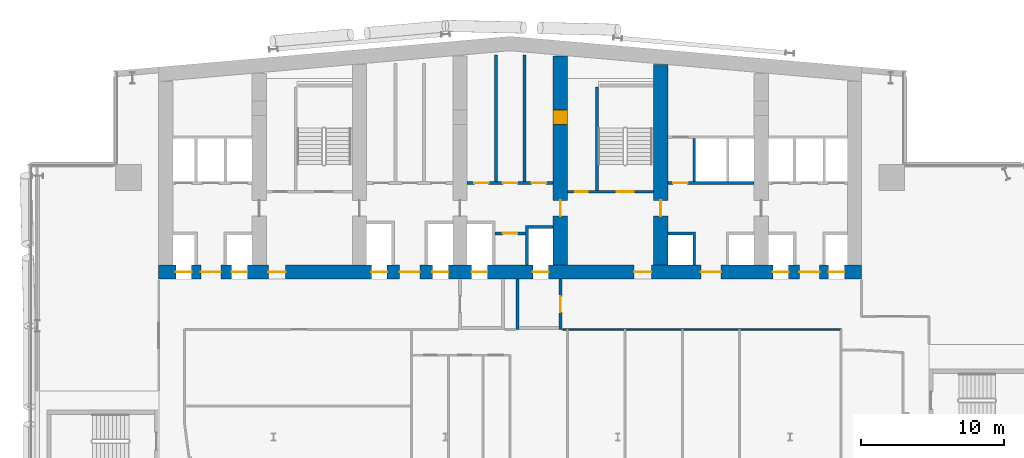
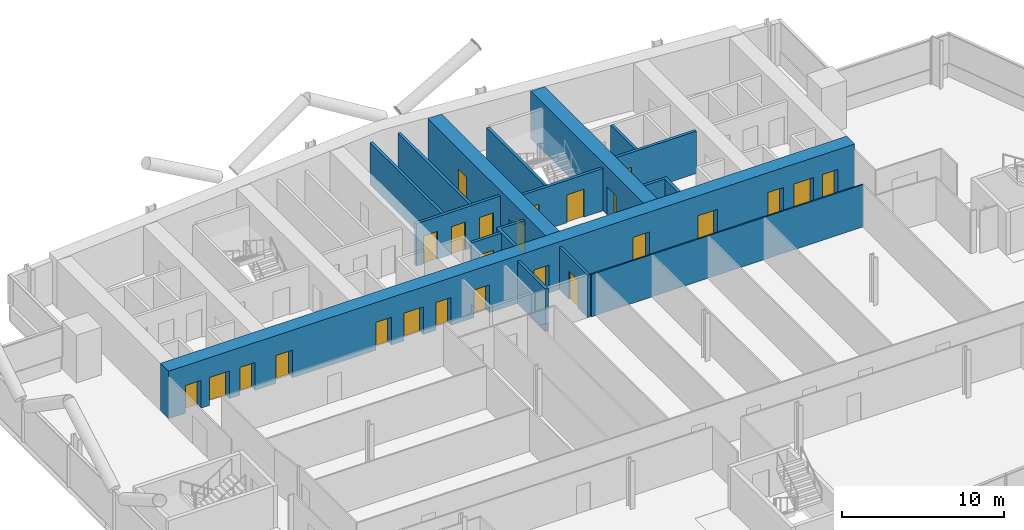
# One storey, part 17 of 27: 25 doors, 16 walls, 25 openings.
"""IFC4 building model written with IfcOpenShell, lengths in metres."""

from ifc_helpers import new_model, si_unit, direction, frame, frame_2d, origin, place, context, subcontext, project, spatial, polyline, rectangle, outline, extrude, material, layer, layer_set, type_object, element, fill, save


model = new_model("IFC4")

# Units and contexts
model_context = context("Model", 3, precision=1e-05, world=origin(), true_north=direction((0.0, 1.0)))
body_context = subcontext(model_context, "Body", "Model", "MODEL_VIEW")
ifc_project = project(units=[si_unit("LENGTHUNIT", "METRE"), si_unit("AREAUNIT", "SQUARE_METRE"), si_unit("VOLUMEUNIT", "CUBIC_METRE"), si_unit("PLANEANGLEUNIT", "RADIAN"), si_unit("MASSUNIT", "GRAM", prefix="KILO")], contexts=[model_context])

# Site, building, storey
site_placement = place(None, origin())
site = spatial("IfcSite", under=ifc_project, at=site_placement, CompositionType="ELEMENT")
building_placement = place(site_placement, origin())
building = spatial("IfcBuilding", under=site, at=building_placement, Name="Wharfspan Tower", CompositionType="ELEMENT")
storey_placement = place(building_placement, frame((0.0, 0.0, 139.899902)))
storey = spatial("IfcBuildingStorey", under=building, at=storey_placement, Name="L33", CompositionType="ELEMENT", Elevation=139.899902)

# Wall
ifc_material_1 = material(Name="Gypsum board on steel studs", Category="steel")
ifc_layer_1 = layer(ifc_material_1, 0.100098)
ifc_layer_set_1 = layer_set([ifc_layer_1], Name="Gypsum board on steel studs")
wall_type_1 = type_object("IfcWallType", Name="Compartment wall 100 EI 60", PredefinedType="PARTITIONING", material=ifc_layer_set_1)
wall_1_placement = place(storey_placement, frame((44.149902, 30.5, 0.0), z_axis=(0.0, 0.0, 1.0), x_axis=(1.0, 0.0, 0.0)))
element("IfcWall", 1, at=wall_1_placement, inside=storey, type_object=wall_type_1, Name="Partition L33.w010 (3)", PredefinedType="PARTITIONING", context=body_context, shape_type="SweptSolid", body=[
    extrude(rectangle(XDim=19.425049, YDim=0.100098, at=frame_2d((9.712402, 0.0))), origin(), (0.0, 0.0, 1.0), 3.200195),
])

# Wall, opening, door
ifc_material_2 = material(Name="Calcium silicate masonry", Category="masonry")
ifc_layer_2 = layer(ifc_material_2, 0.199951)
ifc_layer_set_2 = layer_set([ifc_layer_2], Name="Calcium silicate masonry")
wall_type_2 = type_object("IfcWallType", Name="Core room wall 200", PredefinedType="PARTITIONING", material=ifc_layer_set_2)
wall_2_placement = place(storey_placement, frame((39.43335, 37.199951, 0.0), z_axis=(0.0, 0.0, 1.0), x_axis=(1.0, 0.0, 0.0)))
wall_2 = element("IfcWall", 2, at=wall_2_placement, inside=storey, type_object=wall_type_2, Name="sw:L33:FR4.2", PredefinedType="PARTITIONING", context=body_context, shape_type="SweptSolid", body=[
    extrude(rectangle(XDim=2.133301, YDim=0.199951, at=frame_2d((1.06665, 0.0))), origin(), (0.0, 0.0, 1.0), 3.200195),
])
opening_1_placement = place(wall_2_placement, frame((0.56665, 0.0, 0.0)))
opening_1 = element("IfcOpeningElement", 3, at=opening_1_placement, cuts=wall_2, Name="Opening CD33.4H2", PredefinedType="OPENING", context=body_context, shape_type="SweptSolid", body=[
    extrude(rectangle(XDim=1.0, YDim=2.100098, at=frame_2d((0.5, 1.050049))), frame((0.0, 0.109863, 0.0), z_axis=(0.0, -1.0, 0.0), x_axis=(1.0, 0.0, 0.0)), (0.0, 0.0, 1.0), 0.219971),
])
ifc_material_3 = material(Name="Steel door leaf", Category="steel")
door_type_1 = type_object("IfcDoorType", Name="Core room door 1000x2100", OperationType="SINGLE_SWING_LEFT", PredefinedType="DOOR", material=ifc_material_3)
door_1_placement = place(opening_1_placement, origin())
door_1 = element("IfcDoor", 4, at=door_1_placement, inside=storey, type_object=door_type_1, Name="d:L33:4:fh4.2", OperationType="SINGLE_SWING_RIGHT", OverallHeight=2.100098, OverallWidth=1.0, PredefinedType="DOOR", context=body_context, shape_type="SweptSolid", body=[
    extrude(rectangle(XDim=1.0, YDim=2.100098, at=frame_2d((0.5, 1.050049))), frame((0.0, 0.024902, 0.0), z_axis=(0.0, -1.0, 0.0), x_axis=(1.0, 0.0, 0.0)), (0.0, 0.0, 1.0), 0.050049),
])
fill(opening_1, door_1)

# Walls
for number, where, z_axis, x_axis, name in (
    (5, (39.5, 40.800049, 0.0), (0.0, 0.0, 1.0), (0.0, 1.0, 0.0), "sw:L33:RP4.1"),
    (6, (41.5, 40.800049, 0.0), (0.0, 0.0, 1.0), (0.0, 1.0, 0.0), "sw:L33:RP4.2"),
):
    element("IfcWall", number, at=place(storey_placement, frame(where, z_axis=z_axis, x_axis=x_axis)), inside=storey, type_object=wall_type_2, Name=name, PredefinedType="PARTITIONING", context=body_context, shape_type="SweptSolid", body=[
        extrude(rectangle(XDim=8.844482, YDim=0.199951, at=frame_2d((4.422363, 0.0))), origin(), (0.0, 0.0, 1.0), 3.200195),
    ])

# Wall, openings, doors
ifc_material_4 = material(Name="Concrete C70/85", Category="concrete")
ifc_layer_3 = layer(ifc_material_4, 1.0)
ifc_layer_set_3 = layer_set([ifc_layer_3], Name="Concrete C70/85")
wall_type_3 = type_object("IfcWallType", Name="Core wall 1000 C70/85", PredefinedType="SHEAR", material=ifc_layer_set_3)
wall_3_placement = place(storey_placement, frame((16.0, 34.5, 0.0), z_axis=(0.0, 0.0, 1.0), x_axis=(1.0, 0.0, 0.0)))
wall_3 = element("IfcWall", 7, at=wall_3_placement, inside=storey, type_object=wall_type_3, Name="Core front wall L33", PredefinedType="SHEAR", context=body_context, shape_type="SweptSolid", body=[
    extrude(rectangle(XDim=49.0, YDim=1.0, at=frame_2d((24.5, 0.0))), origin(), (0.0, 0.0, 1.0), 3.600098),
])
opening_2_placement = place(wall_3_placement, frame((1.199951, 0.0, 0.0)))
opening_2 = element("IfcOpeningElement", 8, at=opening_2_placement, cuts=wall_3, Name="Opening LD.LA1.L33", PredefinedType="OPENING", context=body_context, shape_type="SweptSolid", body=[
    extrude(rectangle(XDim=1.100098, YDim=2.100098, at=frame_2d((0.550049, 1.050049))), frame((0.0, 0.51001, 0.0), z_axis=(0.0, -1.0, 0.0), x_axis=(1.0, 0.0, 0.0)), (0.0, 0.0, 1.0), 1.02002),
])
opening_3_placement = place(wall_3_placement, frame((5.083252, 0.0, 0.0)))
opening_3 = element("IfcOpeningElement", 9, at=opening_3_placement, cuts=wall_3, Name="Opening LD.LA2.L33", PredefinedType="OPENING", context=body_context, shape_type="SweptSolid", body=[
    extrude(rectangle(XDim=1.100098, YDim=2.100098, at=frame_2d((0.550049, 1.050049))), frame((0.0, 0.51001, 0.0), z_axis=(0.0, -1.0, 0.0), x_axis=(1.0, 0.0, 0.0)), (0.0, 0.0, 1.0), 1.02002),
])
opening_4_placement = place(wall_3_placement, frame((2.93335, 0.0, 0.0)))
opening_4 = element("IfcOpeningElement", 10, at=opening_4_placement, cuts=wall_3, Name="Opening HD33.1", PredefinedType="OPENING", context=body_context, shape_type="SweptSolid", body=[
    extrude(rectangle(XDim=1.399902, YDim=2.100098, at=frame_2d((0.699951, 1.050049))), frame((0.0, 0.51001, 0.0), z_axis=(0.0, -1.0, 0.0), x_axis=(1.0, 0.0, 0.0)), (0.0, 0.0, 1.0), 1.02002),
])
opening_5_placement = place(wall_3_placement, frame((7.649902, 0.0, 0.0)))
opening_5 = element("IfcOpeningElement", 11, at=opening_5_placement, cuts=wall_3, Name="Opening SV2.L33", PredefinedType="OPENING", context=body_context, shape_type="SweptSolid", body=[
    extrude(rectangle(XDim=1.199951, YDim=2.100098, at=frame_2d((0.600098, 1.050049))), frame((0.0, 0.51001, 0.0), z_axis=(0.0, -1.0, 0.0), x_axis=(1.0, 0.0, 0.0)), (0.0, 0.0, 1.0), 1.02002),
])
opening_6_placement = place(wall_3_placement, frame((14.81665, 0.0, 0.0)))
opening_6 = element("IfcOpeningElement", 12, at=opening_6_placement, cuts=wall_3, Name="Opening LD.SL1.L33", PredefinedType="OPENING", context=body_context, shape_type="SweptSolid", body=[
    extrude(rectangle(XDim=1.100098, YDim=2.100098, at=frame_2d((0.550049, 1.050049))), frame((0.0, 0.51001, 0.0), z_axis=(0.0, -1.0, 0.0), x_axis=(1.0, 0.0, 0.0)), (0.0, 0.0, 1.0), 1.02002),
])
opening_7_placement = place(wall_3_placement, frame((19.083252, 0.0, 0.0)))
opening_7 = element("IfcOpeningElement", 13, at=opening_7_placement, cuts=wall_3, Name="Opening LD.SL2.L33", PredefinedType="OPENING", context=body_context, shape_type="SweptSolid", body=[
    extrude(rectangle(XDim=1.100098, YDim=2.100098, at=frame_2d((0.550049, 1.050049))), frame((0.0, 0.51001, 0.0), z_axis=(0.0, -1.0, 0.0), x_axis=(1.0, 0.0, 0.0)), (0.0, 0.0, 1.0), 1.02002),
])
opening_8_placement = place(wall_3_placement, frame((16.800049, 0.0, 0.0)))
opening_8 = element("IfcOpeningElement", 14, at=opening_8_placement, cuts=wall_3, Name="Opening HD33.3", PredefinedType="OPENING", context=body_context, shape_type="SweptSolid", body=[
    extrude(rectangle(XDim=1.399902, YDim=2.100098, at=frame_2d((0.699951, 1.050049))), frame((0.0, 0.51001, 0.0), z_axis=(0.0, -1.0, 0.0), x_axis=(1.0, 0.0, 0.0)), (0.0, 0.0, 1.0), 1.02002),
])
opening_9_placement = place(wall_3_placement, frame((21.81665, 0.0, 0.0)))
opening_9 = element("IfcOpeningElement", 15, at=opening_9_placement, cuts=wall_3, Name="Opening LD.FF1.L33", PredefinedType="OPENING", context=body_context, shape_type="SweptSolid", body=[
    extrude(rectangle(XDim=1.100098, YDim=2.100098, at=frame_2d((0.550049, 1.050049))), frame((0.0, 0.51001, 0.0), z_axis=(0.0, -1.0, 0.0), x_axis=(1.0, 0.0, 0.0)), (0.0, 0.0, 1.0), 1.02002),
])
opening_10_placement = place(wall_3_placement, frame((26.083252, 0.0, 0.0)))
opening_10 = element("IfcOpeningElement", 16, at=opening_10_placement, cuts=wall_3, Name="Opening LD.FF2.L33", PredefinedType="OPENING", context=body_context, shape_type="SweptSolid", body=[
    extrude(rectangle(XDim=1.100098, YDim=2.100098, at=frame_2d((0.550049, 1.050049))), frame((0.0, 0.51001, 0.0), z_axis=(0.0, -1.0, 0.0), x_axis=(1.0, 0.0, 0.0)), (0.0, 0.0, 1.0), 1.02002),
])
opening_11_placement = place(wall_3_placement, frame((33.149902, 0.0, 0.0)))
opening_11 = element("IfcOpeningElement", 17, at=opening_11_placement, cuts=wall_3, Name="Opening SV5.L33", PredefinedType="OPENING", context=body_context, shape_type="SweptSolid", body=[
    extrude(rectangle(XDim=1.199951, YDim=2.100098, at=frame_2d((0.600098, 1.050049))), frame((0.0, 0.51001, 0.0), z_axis=(0.0, -1.0, 0.0), x_axis=(1.0, 0.0, 0.0)), (0.0, 0.0, 1.0), 1.02002),
])
opening_12_placement = place(wall_3_placement, frame((37.800049, 0.0, 0.0)))
opening_12 = element("IfcOpeningElement", 18, at=opening_12_placement, cuts=wall_3, Name="Opening HD33.6", PredefinedType="OPENING", context=body_context, shape_type="SweptSolid", body=[
    extrude(rectangle(XDim=1.399902, YDim=2.100098, at=frame_2d((0.699951, 1.050049))), frame((0.0, 0.51001, 0.0), z_axis=(0.0, -1.0, 0.0), x_axis=(1.0, 0.0, 0.0)), (0.0, 0.0, 1.0), 1.02002),
])
opening_13_placement = place(wall_3_placement, frame((42.81665, 0.0, 0.0)))
opening_13 = element("IfcOpeningElement", 19, at=opening_13_placement, cuts=wall_3, Name="Opening LD.LA6.L33", PredefinedType="OPENING", context=body_context, shape_type="SweptSolid", body=[
    extrude(rectangle(XDim=1.100098, YDim=2.100098, at=frame_2d((0.550049, 1.050049))), frame((0.0, 0.51001, 0.0), z_axis=(0.0, -1.0, 0.0), x_axis=(1.0, 0.0, 0.0)), (0.0, 0.0, 1.0), 1.02002),
])
opening_14_placement = place(wall_3_placement, frame((46.699951, 0.0, 0.0)))
opening_14 = element("IfcOpeningElement", 20, at=opening_14_placement, cuts=wall_3, Name="Opening LD.LA7.L33", PredefinedType="OPENING", context=body_context, shape_type="SweptSolid", body=[
    extrude(rectangle(XDim=1.100098, YDim=2.100098, at=frame_2d((0.550049, 1.050049))), frame((0.0, 0.51001, 0.0), z_axis=(0.0, -1.0, 0.0), x_axis=(1.0, 0.0, 0.0)), (0.0, 0.0, 1.0), 1.02002),
])
opening_15_placement = place(wall_3_placement, frame((44.666748, 0.0, 0.0)))
opening_15 = element("IfcOpeningElement", 21, at=opening_15_placement, cuts=wall_3, Name="Opening HD33.7", PredefinedType="OPENING", context=body_context, shape_type="SweptSolid", body=[
    extrude(rectangle(XDim=1.399902, YDim=2.100098, at=frame_2d((0.699951, 1.050049))), frame((0.0, 0.51001, 0.0), z_axis=(0.0, -1.0, 0.0), x_axis=(1.0, 0.0, 0.0)), (0.0, 0.0, 1.0), 1.02002),
])
door_type_2 = type_object("IfcDoorType", Name="Hall entry door 1400x2100", OperationType="DOUBLE_DOOR_SINGLE_SWING", PredefinedType="DOOR", material=ifc_material_3)
door_2_placement = place(opening_4_placement, origin())
door_2 = element("IfcDoor", 22, at=door_2_placement, inside=storey, type_object=door_type_2, Name="d:L33:1:hd1", OperationType="DOUBLE_DOOR_SINGLE_SWING", OverallHeight=2.100098, OverallWidth=1.399902, PredefinedType="DOOR", context=body_context, shape_type="SweptSolid", body=[
    extrude(rectangle(XDim=1.399902, YDim=2.100098, at=frame_2d((0.699951, 1.050049))), frame((0.0, 0.024902, 0.0), z_axis=(0.0, -1.0, 0.0), x_axis=(1.0, 0.0, 0.0)), (0.0, 0.0, 1.0), 0.050049),
])
fill(opening_4, door_2)
door_3_placement = place(opening_8_placement, origin())
door_3 = element("IfcDoor", 23, at=door_3_placement, inside=storey, type_object=door_type_2, Name="d:L33:3:hd3", OperationType="DOUBLE_DOOR_SINGLE_SWING", OverallHeight=2.100098, OverallWidth=1.399902, PredefinedType="DOOR", context=body_context, shape_type="SweptSolid", body=[
    extrude(rectangle(XDim=1.399902, YDim=2.100098, at=frame_2d((0.699951, 1.050049))), frame((0.0, 0.024902, 0.0), z_axis=(0.0, -1.0, 0.0), x_axis=(1.0, 0.0, 0.0)), (0.0, 0.0, 1.0), 0.050049),
])
fill(opening_8, door_3)
door_4_placement = place(opening_12_placement, origin())
door_4 = element("IfcDoor", 24, at=door_4_placement, inside=storey, type_object=door_type_2, Name="d:L33:6:hd6", OperationType="DOUBLE_DOOR_SINGLE_SWING", OverallHeight=2.100098, OverallWidth=1.399902, PredefinedType="DOOR", context=body_context, shape_type="SweptSolid", body=[
    extrude(rectangle(XDim=1.399902, YDim=2.100098, at=frame_2d((0.699951, 1.050049))), frame((0.0, 0.024902, 0.0), z_axis=(0.0, -1.0, 0.0), x_axis=(1.0, 0.0, 0.0)), (0.0, 0.0, 1.0), 0.050049),
])
fill(opening_12, door_4)
door_5_placement = place(opening_15_placement, origin())
door_5 = element("IfcDoor", 25, at=door_5_placement, inside=storey, type_object=door_type_2, Name="d:L33:7:hd7", OperationType="DOUBLE_DOOR_SINGLE_SWING", OverallHeight=2.100098, OverallWidth=1.399902, PredefinedType="DOOR", context=body_context, shape_type="SweptSolid", body=[
    extrude(rectangle(XDim=1.399902, YDim=2.100098, at=frame_2d((0.699951, 1.050049))), frame((0.0, 0.024902, 0.0), z_axis=(0.0, -1.0, 0.0), x_axis=(1.0, 0.0, 0.0)), (0.0, 0.0, 1.0), 0.050049),
])
fill(opening_15, door_5)
ifc_material_5 = material(Name="Stainless steel", Category="steel")
door_type_3 = type_object("IfcDoorType", Name="Lift landing door 1100x2100", OperationType="DOUBLE_DOOR_SLIDING", PredefinedType="DOOR", material=ifc_material_5)
door_6_placement = place(opening_2_placement, origin())
door_6 = element("IfcDoor", 26, at=door_6_placement, inside=storey, type_object=door_type_3, Name="Landing door LA1 L33", OperationType="DOUBLE_DOOR_SLIDING", OverallHeight=2.100098, OverallWidth=1.100098, PredefinedType="DOOR", context=body_context, shape_type="SweptSolid", body=[
    extrude(rectangle(XDim=1.100098, YDim=2.100098, at=frame_2d((0.550049, 1.050049))), frame((0.0, 0.024902, 0.0), z_axis=(0.0, -1.0, 0.0), x_axis=(1.0, 0.0, 0.0)), (0.0, 0.0, 1.0), 0.050049),
])
fill(opening_2, door_6)
door_7_placement = place(opening_3_placement, origin())
door_7 = element("IfcDoor", 27, at=door_7_placement, inside=storey, type_object=door_type_3, Name="Landing door LA2 L33", OperationType="DOUBLE_DOOR_SLIDING", OverallHeight=2.100098, OverallWidth=1.100098, PredefinedType="DOOR", context=body_context, shape_type="SweptSolid", body=[
    extrude(rectangle(XDim=1.100098, YDim=2.100098, at=frame_2d((0.550049, 1.050049))), frame((0.0, 0.024902, 0.0), z_axis=(0.0, -1.0, 0.0), x_axis=(1.0, 0.0, 0.0)), (0.0, 0.0, 1.0), 0.050049),
])
fill(opening_3, door_7)
door_8_placement = place(opening_6_placement, origin())
door_8 = element("IfcDoor", 28, at=door_8_placement, inside=storey, type_object=door_type_3, Name="Landing door SL1 L33", OperationType="DOUBLE_DOOR_SLIDING", OverallHeight=2.100098, OverallWidth=1.100098, PredefinedType="DOOR", context=body_context, shape_type="SweptSolid", body=[
    extrude(rectangle(XDim=1.100098, YDim=2.100098, at=frame_2d((0.550049, 1.050049))), frame((0.0, 0.024902, 0.0), z_axis=(0.0, -1.0, 0.0), x_axis=(1.0, 0.0, 0.0)), (0.0, 0.0, 1.0), 0.050049),
])
fill(opening_6, door_8)
door_9_placement = place(opening_7_placement, origin())
door_9 = element("IfcDoor", 29, at=door_9_placement, inside=storey, type_object=door_type_3, Name="Landing door SL2 L33", OperationType="DOUBLE_DOOR_SLIDING", OverallHeight=2.100098, OverallWidth=1.100098, PredefinedType="DOOR", context=body_context, shape_type="SweptSolid", body=[
    extrude(rectangle(XDim=1.100098, YDim=2.100098, at=frame_2d((0.550049, 1.050049))), frame((0.0, 0.024902, 0.0), z_axis=(0.0, -1.0, 0.0), x_axis=(1.0, 0.0, 0.0)), (0.0, 0.0, 1.0), 0.050049),
])
fill(opening_7, door_9)
door_10_placement = place(opening_9_placement, origin())
door_10 = element("IfcDoor", 30, at=door_10_placement, inside=storey, type_object=door_type_3, Name="Landing door FF1 L33", OperationType="DOUBLE_DOOR_SLIDING", OverallHeight=2.100098, OverallWidth=1.100098, PredefinedType="DOOR", context=body_context, shape_type="SweptSolid", body=[
    extrude(rectangle(XDim=1.100098, YDim=2.100098, at=frame_2d((0.550049, 1.050049))), frame((0.0, 0.024902, 0.0), z_axis=(0.0, -1.0, 0.0), x_axis=(1.0, 0.0, 0.0)), (0.0, 0.0, 1.0), 0.050049),
])
fill(opening_9, door_10)
door_11_placement = place(opening_10_placement, origin())
door_11 = element("IfcDoor", 31, at=door_11_placement, inside=storey, type_object=door_type_3, Name="Landing door FF2 L33", OperationType="DOUBLE_DOOR_SLIDING", OverallHeight=2.100098, OverallWidth=1.100098, PredefinedType="DOOR", context=body_context, shape_type="SweptSolid", body=[
    extrude(rectangle(XDim=1.100098, YDim=2.100098, at=frame_2d((0.550049, 1.050049))), frame((0.0, 0.024902, 0.0), z_axis=(0.0, -1.0, 0.0), x_axis=(1.0, 0.0, 0.0)), (0.0, 0.0, 1.0), 0.050049),
])
fill(opening_10, door_11)
door_12_placement = place(opening_13_placement, origin())
door_12 = element("IfcDoor", 32, at=door_12_placement, inside=storey, type_object=door_type_3, Name="Landing door LA6 L33", OperationType="DOUBLE_DOOR_SLIDING", OverallHeight=2.100098, OverallWidth=1.100098, PredefinedType="DOOR", context=body_context, shape_type="SweptSolid", body=[
    extrude(rectangle(XDim=1.100098, YDim=2.100098, at=frame_2d((0.550049, 1.050049))), frame((0.0, 0.024902, 0.0), z_axis=(0.0, -1.0, 0.0), x_axis=(1.0, 0.0, 0.0)), (0.0, 0.0, 1.0), 0.050049),
])
fill(opening_13, door_12)
door_13_placement = place(opening_14_placement, origin())
door_13 = element("IfcDoor", 33, at=door_13_placement, inside=storey, type_object=door_type_3, Name="Landing door LA7 L33", OperationType="DOUBLE_DOOR_SLIDING", OverallHeight=2.100098, OverallWidth=1.100098, PredefinedType="DOOR", context=body_context, shape_type="SweptSolid", body=[
    extrude(rectangle(XDim=1.100098, YDim=2.100098, at=frame_2d((0.550049, 1.050049))), frame((0.0, 0.024902, 0.0), z_axis=(0.0, -1.0, 0.0), x_axis=(1.0, 0.0, 0.0)), (0.0, 0.0, 1.0), 0.050049),
])
fill(opening_14, door_13)
door_type_4 = type_object("IfcDoorType", Name="Stair door 1200x2100", OperationType="SINGLE_SWING_LEFT", PredefinedType="DOOR", material=ifc_material_3)
door_14_placement = place(opening_5_placement, origin())
door_14 = element("IfcDoor", 34, at=door_14_placement, inside=storey, type_object=door_type_4, Name="vd:L33:2", OperationType="SINGLE_SWING_LEFT", OverallHeight=2.100098, OverallWidth=1.199951, PredefinedType="DOOR", context=body_context, shape_type="SweptSolid", body=[
    extrude(rectangle(XDim=1.199951, YDim=2.100098, at=frame_2d((0.600098, 1.050049))), frame((0.0, 0.024902, 0.0), z_axis=(0.0, -1.0, 0.0), x_axis=(1.0, 0.0, 0.0)), (0.0, 0.0, 1.0), 0.050049),
])
fill(opening_5, door_14)
door_15_placement = place(opening_11_placement, origin())
door_15 = element("IfcDoor", 35, at=door_15_placement, inside=storey, type_object=door_type_4, Name="vd:L33:5", OperationType="SINGLE_SWING_LEFT", OverallHeight=2.100098, OverallWidth=1.199951, PredefinedType="DOOR", context=body_context, shape_type="SweptSolid", body=[
    extrude(rectangle(XDim=1.199951, YDim=2.100098, at=frame_2d((0.600098, 1.050049))), frame((0.0, 0.024902, 0.0), z_axis=(0.0, -1.0, 0.0), x_axis=(1.0, 0.0, 0.0)), (0.0, 0.0, 1.0), 0.050049),
])
fill(opening_11, door_15)

wall_4_placement = place(storey_placement, frame((44.0, 35.0, 0.0), z_axis=(0.0, 0.0, 1.0), x_axis=(0.0, 1.0, 0.0)))
wall_4 = element("IfcWall", 36, at=wall_4_placement, inside=storey, type_object=wall_type_3, Name="Core cross wall X5 L33", PredefinedType="SHEAR", context=body_context, shape_type="SweptSolid", body=[
    extrude(rectangle(XDim=14.577148, YDim=1.0, at=frame_2d((7.288574, 0.0))), origin(), (0.0, 0.0, 1.0), 3.600098),
])
opening_16_placement = place(wall_4_placement, frame((3.399902, 0.0, 0.0)))
opening_16 = element("IfcOpeningElement", 37, at=opening_16_placement, cuts=wall_4, Name="Opening CC33.5", PredefinedType="OPENING", context=body_context, shape_type="SweptSolid", body=[
    extrude(rectangle(XDim=1.100098, YDim=2.100098, at=frame_2d((0.550049, 1.050049))), frame((0.0, 0.51001, 0.0), z_axis=(0.0, -1.0, 0.0), x_axis=(1.0, 0.0, 0.0)), (0.0, 0.0, 1.0), 1.02002),
])
opening_17_placement = place(wall_4_placement, frame((9.800049, 0.0, 0.0)))
opening_17 = element("IfcOpeningElement", 38, at=opening_17_placement, cuts=wall_4, Name="Opening CR33.5", PredefinedType="OPENING", context=body_context, shape_type="SweptSolid", body=[
    extrude(rectangle(XDim=1.0, YDim=2.100098, at=frame_2d((0.5, 1.050049))), frame((0.0, 0.51001, 0.0), z_axis=(0.0, -1.0, 0.0), x_axis=(1.0, 0.0, 0.0)), (0.0, 0.0, 1.0), 1.02002),
])
door_type_5 = type_object("IfcDoorType", Name="Core corridor door 1100x2100", OperationType="SINGLE_SWING_LEFT", PredefinedType="DOOR", material=ifc_material_3)
door_16_placement = place(opening_16_placement, origin())
door_16 = element("IfcDoor", 39, at=door_16_placement, inside=storey, type_object=door_type_5, Name="xd:L33:5", OperationType="SINGLE_SWING_LEFT", OverallHeight=2.100098, OverallWidth=1.100098, PredefinedType="DOOR", context=body_context, shape_type="SweptSolid", body=[
    extrude(rectangle(XDim=1.100098, YDim=2.100098, at=frame_2d((0.550049, 1.050049))), frame((0.0, 0.024902, 0.0), z_axis=(0.0, -1.0, 0.0), x_axis=(1.0, 0.0, 0.0)), (0.0, 0.0, 1.0), 0.050049),
])
fill(opening_16, door_16)
door_17_placement = place(opening_17_placement, origin())
door_17 = element("IfcDoor", 40, at=door_17_placement, inside=storey, type_object=door_type_1, Name="xr:L33:5", OperationType="SINGLE_SWING_RIGHT", OverallHeight=2.100098, OverallWidth=1.0, PredefinedType="DOOR", context=body_context, shape_type="SweptSolid", body=[
    extrude(rectangle(XDim=1.0, YDim=2.100098, at=frame_2d((0.5, 1.050049))), frame((0.0, 0.499756, 0.0), z_axis=(0.0, -1.0, 0.0), x_axis=(1.0, 0.0, 0.0)), (0.0, 0.0, 1.0), 0.999512),
])
fill(opening_17, door_17)

# Wall, opening, door
wall_5_placement = place(storey_placement, frame((51.0, 35.0, 0.0), z_axis=(0.0, 0.0, 1.0), x_axis=(0.0, 1.0, 0.0)))
wall_5 = element("IfcWall", 41, at=wall_5_placement, inside=storey, type_object=wall_type_3, Name="Core cross wall X6 L33", PredefinedType="SHEAR", context=body_context, shape_type="SweptSolid", body=[
    extrude(rectangle(XDim=13.9646, YDim=1.0, at=frame_2d((6.982422, 0.0))), origin(), (0.0, 0.0, 1.0), 3.600098),
])
opening_18_placement = place(wall_5_placement, frame((3.399902, 0.0, 0.0)))
opening_18 = element("IfcOpeningElement", 42, at=opening_18_placement, cuts=wall_5, Name="Opening CC33.6", PredefinedType="OPENING", context=body_context, shape_type="SweptSolid", body=[
    extrude(rectangle(XDim=1.100098, YDim=2.100098, at=frame_2d((0.550049, 1.050049))), frame((0.0, 0.51001, 0.0), z_axis=(0.0, -1.0, 0.0), x_axis=(1.0, 0.0, 0.0)), (0.0, 0.0, 1.0), 1.02002),
])
door_18_placement = place(opening_18_placement, origin())
door_18 = element("IfcDoor", 43, at=door_18_placement, inside=storey, type_object=door_type_5, Name="xd:L33:6", OperationType="SINGLE_SWING_RIGHT", OverallHeight=2.100098, OverallWidth=1.100098, PredefinedType="DOOR", context=body_context, shape_type="SweptSolid", body=[
    extrude(rectangle(XDim=1.100098, YDim=2.100098, at=frame_2d((0.550049, 1.050049))), frame((0.0, 0.024902, 0.0), z_axis=(0.0, -1.0, 0.0), x_axis=(1.0, 0.0, 0.0)), (0.0, 0.0, 1.0), 0.050049),
])
fill(opening_18, door_18)

# Wall, openings, doors
ifc_material_6 = material(Name="Concrete C30/37", Category="concrete")
ifc_layer_4 = layer(ifc_material_6, 0.199951)
ifc_layer_set_4 = layer_set([ifc_layer_4], Name="Concrete C30/37")
wall_type_4 = type_object("IfcWallType", Name="Lift shaft wall 200", PredefinedType="PARTITIONING", material=ifc_layer_set_4)
wall_6_placement = place(storey_placement, frame((37.5, 40.699951, 0.0), z_axis=(0.0, 0.0, 1.0), x_axis=(1.0, 0.0, 0.0)))
wall_6 = element("IfcWall", 44, at=wall_6_placement, inside=storey, type_object=wall_type_4, Name="sw:L33:RF4", PredefinedType="PARTITIONING", context=body_context, shape_type="SweptSolid", body=[
    extrude(rectangle(XDim=6.0, YDim=0.199951, at=frame_2d((3.0, 0.0))), origin(), (0.0, 0.0, 1.0), 3.200195),
])
opening_19_placement = place(wall_6_placement, frame((0.5, 0.0, 0.0)))
opening_19 = element("IfcOpeningElement", 45, at=opening_19_placement, cuts=wall_6, Name="Opening CD33.4S", PredefinedType="OPENING", context=body_context, shape_type="SweptSolid", body=[
    extrude(rectangle(XDim=1.0, YDim=2.100098, at=frame_2d((0.5, 1.050049))), frame((0.0, 0.109863, 0.0), z_axis=(0.0, -1.0, 0.0), x_axis=(1.0, 0.0, 0.0)), (0.0, 0.0, 1.0), 0.219971),
])
opening_20_placement = place(wall_6_placement, frame((2.5, 0.0, 0.0)))
opening_20 = element("IfcOpeningElement", 46, at=opening_20_placement, cuts=wall_6, Name="Opening CD33.4Sa", PredefinedType="OPENING", context=body_context, shape_type="SweptSolid", body=[
    extrude(rectangle(XDim=1.0, YDim=2.100098, at=frame_2d((0.5, 1.050049))), frame((0.0, 0.109863, 0.0), z_axis=(0.0, -1.0, 0.0), x_axis=(1.0, 0.0, 0.0)), (0.0, 0.0, 1.0), 0.219971),
])
opening_21_placement = place(wall_6_placement, frame((4.5, 0.0, 0.0)))
opening_21 = element("IfcOpeningElement", 47, at=opening_21_placement, cuts=wall_6, Name="Opening CD33.4Sb", PredefinedType="OPENING", context=body_context, shape_type="SweptSolid", body=[
    extrude(rectangle(XDim=1.0, YDim=2.100098, at=frame_2d((0.5, 1.050049))), frame((0.0, 0.109863, 0.0), z_axis=(0.0, -1.0, 0.0), x_axis=(1.0, 0.0, 0.0)), (0.0, 0.0, 1.0), 0.219971),
])
door_19_placement = place(opening_19_placement, origin())
door_19 = element("IfcDoor", 48, at=door_19_placement, inside=storey, type_object=door_type_1, Name="d:L33:4:sf", OperationType="SINGLE_SWING_LEFT", OverallHeight=2.100098, OverallWidth=1.0, PredefinedType="DOOR", context=body_context, shape_type="SweptSolid", body=[
    extrude(rectangle(XDim=1.0, YDim=2.100098, at=frame_2d((0.5, 1.050049))), frame((0.0, 0.024902, 0.0), z_axis=(0.0, -1.0, 0.0), x_axis=(1.0, 0.0, 0.0)), (0.0, 0.0, 1.0), 0.050049),
])
fill(opening_19, door_19)
door_20_placement = place(opening_20_placement, origin())
door_20 = element("IfcDoor", 49, at=door_20_placement, inside=storey, type_object=door_type_1, Name="d:L33:4:sf1", OperationType="SINGLE_SWING_LEFT", OverallHeight=2.100098, OverallWidth=1.0, PredefinedType="DOOR", context=body_context, shape_type="SweptSolid", body=[
    extrude(rectangle(XDim=1.0, YDim=2.100098, at=frame_2d((0.5, 1.050049))), frame((0.0, 0.024902, 0.0), z_axis=(0.0, -1.0, 0.0), x_axis=(1.0, 0.0, 0.0)), (0.0, 0.0, 1.0), 0.050049),
])
fill(opening_20, door_20)
door_21_placement = place(opening_21_placement, origin())
door_21 = element("IfcDoor", 50, at=door_21_placement, inside=storey, type_object=door_type_1, Name="d:L33:4:sf2", OperationType="SINGLE_SWING_LEFT", OverallHeight=2.100098, OverallWidth=1.0, PredefinedType="DOOR", context=body_context, shape_type="SweptSolid", body=[
    extrude(rectangle(XDim=1.0, YDim=2.100098, at=frame_2d((0.5, 1.050049))), frame((0.0, 0.024902, 0.0), z_axis=(0.0, -1.0, 0.0), x_axis=(1.0, 0.0, 0.0)), (0.0, 0.0, 1.0), 0.050049),
])
fill(opening_21, door_21)

# Wall
wall_7_placement = place(storey_placement, origin())
element("IfcWall", 51, at=wall_7_placement, inside=storey, type_object=wall_type_4, Name="sw:L33:FM4.0", PredefinedType="PARTITIONING", context=body_context, shape_type="SweptSolid", body=[
    extrude(outline(polyline([(41.56665, 37.75), (41.766602, 37.75), (43.5, 37.75), (43.5, 37.550049), (41.766602, 37.550049), (41.766602, 35.0), (41.56665, 35.0), (41.56665, 37.75)])), origin(), (0.0, 0.0, 1.0), 3.200195),
])

# Wall, opening, door
wall_8_placement = place(storey_placement, frame((51.5, 40.699951, 0.0), z_axis=(0.0, 0.0, 1.0), x_axis=(1.0, 0.0, 0.0)))
wall_8 = element("IfcWall", 52, at=wall_8_placement, inside=storey, type_object=wall_type_4, Name="sw:L33:RF6", PredefinedType="PARTITIONING", context=body_context, shape_type="SweptSolid", body=[
    extrude(rectangle(XDim=6.0, YDim=0.199951, at=frame_2d((3.0, 0.0))), origin(), (0.0, 0.0, 1.0), 3.200195),
])
opening_22_placement = place(wall_8_placement, frame((0.366699, 0.0, 0.0)))
opening_22 = element("IfcOpeningElement", 53, at=opening_22_placement, cuts=wall_8, Name="Opening CD33.6R1", PredefinedType="OPENING", context=body_context, shape_type="SweptSolid", body=[
    extrude(rectangle(XDim=1.0, YDim=2.100098, at=frame_2d((0.5, 1.050049))), frame((0.0, 0.109863, 0.0), z_axis=(0.0, -1.0, 0.0), x_axis=(1.0, 0.0, 0.0)), (0.0, 0.0, 1.0), 0.219971),
])
door_22_placement = place(opening_22_placement, origin())
door_22 = element("IfcDoor", 54, at=door_22_placement, inside=storey, type_object=door_type_1, Name="d:L33:6:rd6.1", OperationType="SINGLE_SWING_RIGHT", OverallHeight=2.100098, OverallWidth=1.0, PredefinedType="DOOR", context=body_context, shape_type="SweptSolid", body=[
    extrude(rectangle(XDim=1.0, YDim=2.100098, at=frame_2d((0.5, 1.050049))), frame((0.0, 0.024902, 0.0), z_axis=(0.0, -1.0, 0.0), x_axis=(1.0, 0.0, 0.0)), (0.0, 0.0, 1.0), 0.050049),
])
fill(opening_22, door_22)

# Walls
wall_9_placement = place(storey_placement, origin())
element("IfcWall", 55, at=wall_9_placement, inside=storey, type_object=wall_type_4, Name="sw:L33:FM6.0", PredefinedType="PARTITIONING", context=body_context, shape_type="SweptSolid", body=[
    extrude(outline(polyline([(53.233398, 37.100098), (51.5, 37.100098), (51.5, 37.300049), (53.233398, 37.300049), (53.43335, 37.300049), (53.43335, 35.0), (53.233398, 35.0), (53.233398, 37.100098)])), origin(), (0.0, 0.0, 1.0), 3.200195),
])
wall_10_placement = place(storey_placement, origin())
element("IfcWall", 56, at=wall_10_placement, inside=storey, type_object=wall_type_4, Name="sw:L33:RM6.0", PredefinedType="PARTITIONING", context=body_context, shape_type="SweptSolid", body=[
    extrude(outline(polyline([(53.233398, 40.800049), (53.233398, 43.800049), (53.43335, 43.800049), (53.43335, 40.800049), (53.233398, 40.800049)])), origin(), (0.0, 0.0, 1.0), 3.200195),
])
ifc_layer_5 = layer(ifc_material_6, 0.199951)
ifc_layer_set_5 = layer_set([ifc_layer_5], Name="Concrete C30/37")
wall_type_5 = type_object("IfcWallType", Name="Lobby wall 200", PredefinedType="PARTITIONING", material=ifc_layer_set_5)
wall_11_placement = place(storey_placement, frame((41.0, 30.5, 0.0), z_axis=(0.0, 0.0, 1.0), x_axis=(0.0, 1.0, 0.0)))
element("IfcWall", 57, at=wall_11_placement, inside=storey, type_object=wall_type_5, Name="sw:L33:FLFF2W", PredefinedType="PARTITIONING", context=body_context, shape_type="SweptSolid", body=[
    extrude(rectangle(XDim=3.5, YDim=0.199951, at=frame_2d((1.75, 0.0))), origin(), (0.0, 0.0, 1.0), 3.200195),
])

# Wall, opening, door
wall_12_placement = place(storey_placement, frame((44.0, 30.5, 0.0), z_axis=(0.0, 0.0, 1.0), x_axis=(0.0, 1.0, 0.0)))
wall_12 = element("IfcWall", 58, at=wall_12_placement, inside=storey, type_object=wall_type_5, Name="sw:L33:FLFF2E", PredefinedType="PARTITIONING", context=body_context, shape_type="SweptSolid", body=[
    extrude(rectangle(XDim=3.5, YDim=0.199951, at=frame_2d((1.75, 0.0))), origin(), (0.0, 0.0, 1.0), 3.200195),
])
opening_23_placement = place(wall_12_placement, frame((1.199951, 0.0, 0.0)))
opening_23 = element("IfcOpeningElement", 59, at=opening_23_placement, cuts=wall_12, Name="Opening FL.FF2.L33", PredefinedType="OPENING", context=body_context, shape_type="SweptSolid", body=[
    extrude(rectangle(XDim=1.100098, YDim=2.100098, at=frame_2d((0.550049, 1.050049))), frame((0.0, 0.109863, 0.0), z_axis=(0.0, -1.0, 0.0), x_axis=(1.0, 0.0, 0.0)), (0.0, 0.0, 1.0), 0.219971),
])
door_type_6 = type_object("IfcDoorType", Name="Firefighting lobby door 1100x2100", OperationType="SINGLE_SWING_LEFT", PredefinedType="DOOR", material=ifc_material_3)
door_23_placement = place(opening_23_placement, origin())
door_23 = element("IfcDoor", 60, at=door_23_placement, inside=storey, type_object=door_type_6, Name="fd:L33:FF2", OperationType="SINGLE_SWING_LEFT", OverallHeight=2.100098, OverallWidth=1.100098, PredefinedType="DOOR", context=body_context, shape_type="SweptSolid", body=[
    extrude(rectangle(XDim=1.100098, YDim=2.100098, at=frame_2d((0.550049, 1.050049))), frame((0.0, 0.024902, 0.0), z_axis=(0.0, -1.0, 0.0), x_axis=(1.0, 0.0, 0.0)), (0.0, 0.0, 1.0), 0.050049),
])
fill(opening_23, door_23)

# Wall, openings, doors
ifc_material_7 = material(Name="Concrete C40/50", Category="concrete")
ifc_layer_6 = layer(ifc_material_7, 0.199951)
ifc_layer_set_6 = layer_set([ifc_layer_6], Name="Concrete C40/50")
wall_type_6 = type_object("IfcWallType", Name="Stair shaft wall 200", PredefinedType="SHEAR", material=ifc_layer_set_6)
wall_13_placement = place(storey_placement, frame((44.5, 40.100098, 0.0), z_axis=(0.0, 0.0, 1.0), x_axis=(1.0, 0.0, 0.0)))
wall_13 = element("IfcWall", 61, at=wall_13_placement, inside=storey, type_object=wall_type_6, Name="ST2 stair enclosure wall L33", PredefinedType="SHEAR", context=body_context, shape_type="SweptSolid", body=[
    extrude(rectangle(XDim=6.0, YDim=0.199951, at=frame_2d((3.0, 0.0))), origin(), (0.0, 0.0, 1.0), 3.200195),
])
opening_24_placement = place(wall_13_placement, frame((3.425049, 0.0, 0.0)))
opening_24 = element("IfcOpeningElement", 62, at=opening_24_placement, cuts=wall_13, Name="Opening SD5.L33", PredefinedType="OPENING", context=body_context, shape_type="SweptSolid", body=[
    extrude(rectangle(XDim=1.199951, YDim=2.100098, at=frame_2d((0.600098, 1.050049))), frame((0.0, 0.109863, 0.0), z_axis=(0.0, -1.0, 0.0), x_axis=(1.0, 0.0, 0.0)), (0.0, 0.0, 1.0), 0.219971),
])
opening_25_placement = place(wall_13_placement, frame((0.524902, 0.0, 0.0)))
opening_25 = element("IfcOpeningElement", 63, at=opening_25_placement, cuts=wall_13, Name="Opening CD33.5R", PredefinedType="OPENING", context=body_context, shape_type="SweptSolid", body=[
    extrude(rectangle(XDim=0.899902, YDim=2.100098, at=frame_2d((0.449951, 1.050049))), frame((0.0, 0.109863, 0.0), z_axis=(0.0, -1.0, 0.0), x_axis=(1.0, 0.0, 0.0)), (0.0, 0.0, 1.0), 0.219971),
])
door_24_placement = place(opening_25_placement, origin())
door_24 = element("IfcDoor", 64, at=door_24_placement, inside=storey, type_object=door_type_1, Name="rk:L33:5", OperationType="SINGLE_SWING_LEFT", OverallHeight=2.100098, OverallWidth=0.899902, PredefinedType="DOOR", context=body_context, shape_type="SweptSolid", body=[
    extrude(rectangle(XDim=0.899902, YDim=2.100098, at=frame_2d((0.449951, 1.050049))), frame((0.0, 0.024902, 0.0), z_axis=(0.0, -1.0, 0.0), x_axis=(1.0, 0.0, 0.0)), (0.0, 0.0, 1.0), 0.050049),
])
fill(opening_25, door_24)
door_25_placement = place(opening_24_placement, origin())
door_25 = element("IfcDoor", 65, at=door_25_placement, inside=storey, type_object=door_type_4, Name="sd:L33:5", OperationType="SINGLE_SWING_RIGHT", OverallHeight=2.100098, OverallWidth=1.199951, PredefinedType="DOOR", context=body_context, shape_type="SweptSolid", body=[
    extrude(rectangle(XDim=1.199951, YDim=2.100098, at=frame_2d((0.600098, 1.050049))), frame((0.0, 0.024902, 0.0), z_axis=(0.0, -1.0, 0.0), x_axis=(1.0, 0.0, 0.0)), (0.0, 0.0, 1.0), 0.050049),
])
fill(opening_24, door_25)

# Wall
wall_14_placement = place(storey_placement, frame((46.550049, 40.199951, 0.0), z_axis=(0.0, 0.0, 1.0), x_axis=(0.0, 1.0, 0.0)))
element("IfcWall", 66, at=wall_14_placement, inside=storey, type_object=wall_type_6, Name="ST2 stair enclosure wall L33", PredefinedType="SHEAR", context=body_context, shape_type="SweptSolid", body=[
    extrude(rectangle(XDim=7.199951, YDim=0.199951, at=frame_2d((3.600098, 0.0))), origin(), (0.0, 0.0, 1.0), 3.200195),
])

save(model, "model.ifc")
